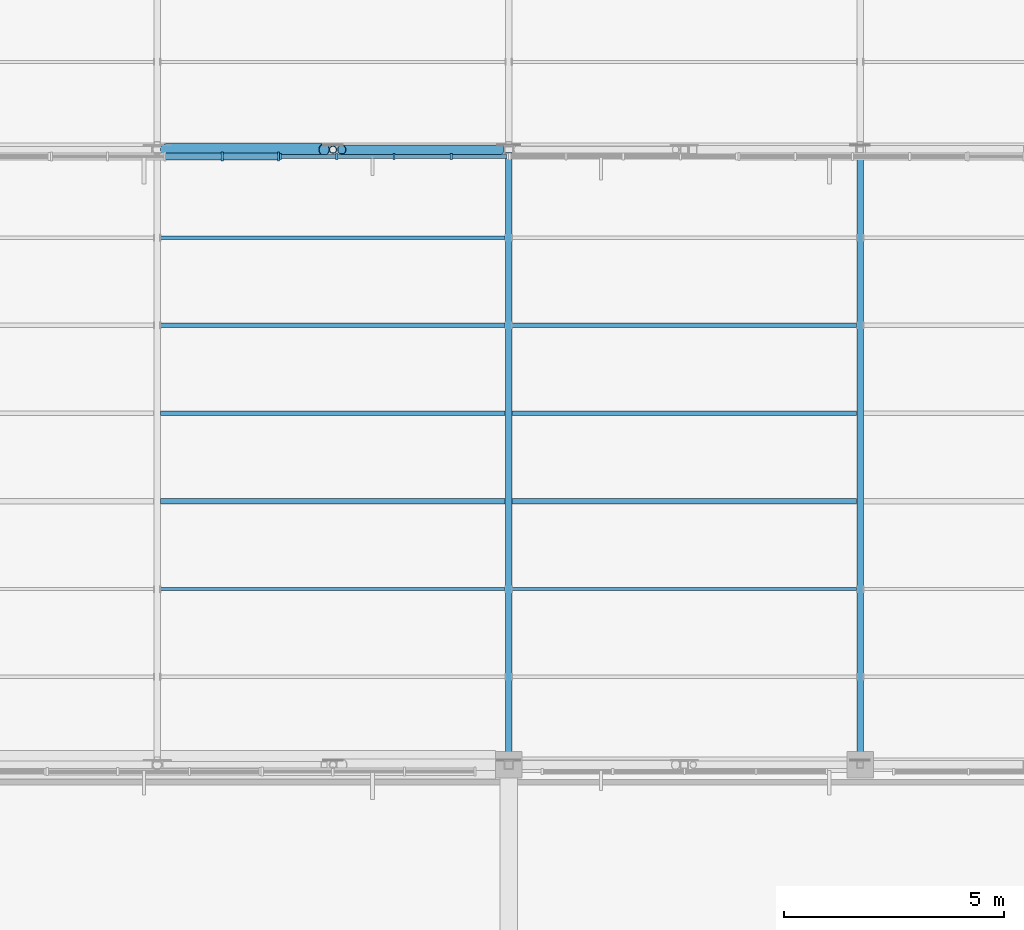
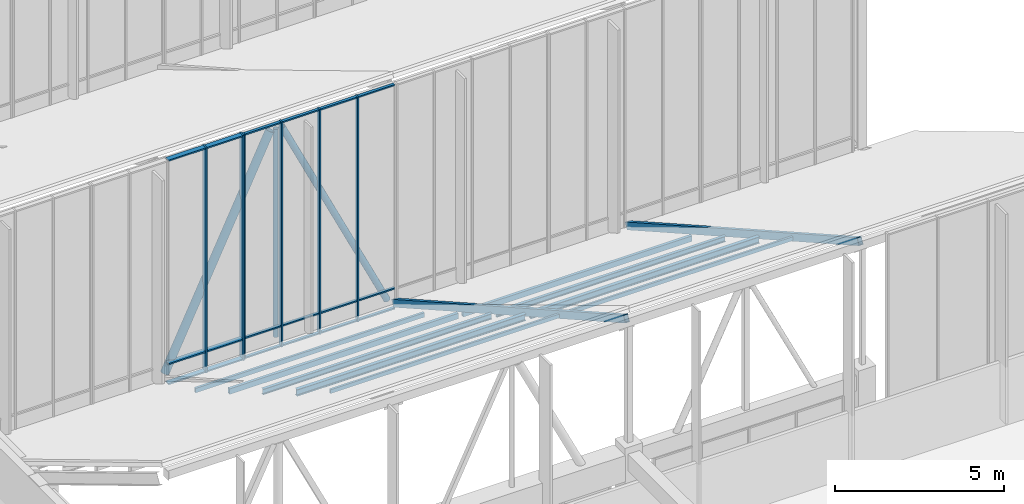
# One storey, part 41 of 155: 38 members, 2 elements without a shape of their own.
"""IFC4 building model written with IfcOpenShell, lengths in metres."""

from ifc_helpers import new_model, si_unit, direction, frame, origin, origin_2d, place, context, subcontext, project, spatial, rectangle, hollow_rectangle, hollow_circle, i_section, extrude, material, material_profile, profile_set, type_object, element, aggregate, save


model = new_model("IFC4")

# Units and contexts
model_context = context("Model", 3, precision=1e-05, world=origin(), true_north=direction((0.0, 1.0)))
body_context = subcontext(model_context, "Body", "Model", "MODEL_VIEW")
ifc_project = project(units=[si_unit("LENGTHUNIT", "METRE"), si_unit("AREAUNIT", "SQUARE_METRE"), si_unit("VOLUMEUNIT", "CUBIC_METRE"), si_unit("PLANEANGLEUNIT", "RADIAN"), si_unit("MASSUNIT", "GRAM", prefix="KILO")], contexts=[model_context])

# Site, building, storey
site_placement = place(None, origin())
site = spatial("IfcSite", under=ifc_project, at=site_placement, CompositionType="ELEMENT")
building_placement = place(site_placement, origin())
building = spatial("IfcBuilding", under=site, at=building_placement, Name="Larkveld Mobility Hub", CompositionType="ELEMENT")
storey_placement = place(building_placement, frame((0.0, 0.0, 8.39990234375)))
storey = spatial("IfcBuildingStorey", under=building, at=storey_placement, Name="L02", CompositionType="ELEMENT", Elevation=8.39990234375)

# Curtain wall, members
ifc_material_1 = material(Name="Anodised aluminium 6063-T6", Category="aluminium")
curtain_wall_type_1 = type_object("IfcCurtainWallType", Name="CW-SYS-03", PredefinedType="NOTDEFINED", material=ifc_material_1)
curtain_wall_1_placement = place(storey_placement, origin())
curtain_wall_1 = element("IfcCurtainWall", 1, at=curtain_wall_1_placement, inside=storey, type_object=curtain_wall_type_1, Name="Sawtooth South-Light Clerestory B2 CW-015", PredefinedType="NOTDEFINED")
ifc_material_profile_1 = material_profile(ifc_material_1, rectangle(XDim=0.050048828125, YDim=0.2099609375, at=origin_2d()), Name="ALU MULL 50x210")
ifc_profile_set_1 = profile_set([ifc_material_profile_1], Name="Anodised aluminium 6063-T6")
member_type_1 = type_object("IfcMemberType", Name="CW-MUL-03", PredefinedType="MULLION", material=ifc_profile_set_1)
member_1_placement = place(storey_placement, frame((161.47998046875, 41.844970703125, -0.001953125), z_axis=(0.0, 0.0, 1.0), x_axis=(1.0, 0.0, 0.0)))
member_1 = element("IfcMember", 2, at=member_1_placement, type_object=member_type_1, Name="CW03 mullion 4", PredefinedType="MULLION", context=body_context, shape_type="SweptSolid", body=[
    extrude(rectangle(XDim=0.050048828125, YDim=0.2099609375, at=origin_2d()), origin(), (0.0, 0.0, 1.0), 8.152099609375),
])
member_2_placement = place(storey_placement, frame((162.759033203125, 41.844970703125, -0.001953125), z_axis=(0.0, 0.0, 1.0), x_axis=(1.0, 0.0, 0.0)))
member_2 = element("IfcMember", 3, at=member_2_placement, type_object=member_type_1, Name="CW03 mullion 5", PredefinedType="MULLION", context=body_context, shape_type="SweptSolid", body=[
    extrude(rectangle(XDim=0.050048828125, YDim=0.2099609375, at=origin_2d()), origin(), (0.0, 0.0, 1.0), 8.152099609375),
])

curtain_wall_type_2 = type_object("IfcCurtainWallType", Name="CW-SYS-04", PredefinedType="NOTDEFINED", material=ifc_material_1)
curtain_wall_2_placement = place(storey_placement, origin())
curtain_wall_2 = element("IfcCurtainWall", 4, at=curtain_wall_2_placement, inside=storey, type_object=curtain_wall_type_2, Name="Sawtooth South-Light Clerestory B2 CW-016", PredefinedType="NOTDEFINED")
ifc_material_profile_2 = material_profile(ifc_material_1, rectangle(XDim=0.050048828125, YDim=0.1298828125, at=origin_2d()), Name="ALU MULL 50x130")
ifc_profile_set_2 = profile_set([ifc_material_profile_2], Name="Anodised aluminium 6063-T6")
member_type_2 = type_object("IfcMemberType", Name="CW-MUL-04", PredefinedType="MULLION", material=ifc_profile_set_2)
member_3_placement = place(storey_placement, frame((162.80810546875, 41.844970703125, -0.001953125), z_axis=(0.0, 0.0, 1.0), x_axis=(1.0, 0.0, 0.0)))
member_3 = element("IfcMember", 5, at=member_3_placement, type_object=member_type_2, Name="CW04 mullion 1", PredefinedType="MULLION", context=body_context, shape_type="SweptSolid", body=[
    extrude(rectangle(XDim=0.050048828125, YDim=0.1298828125, at=origin_2d()), origin(), (0.0, 0.0, 1.0), 8.152099609375),
])
member_4_placement = place(storey_placement, frame((164.0869140625, 41.844970703125, -0.001953125), z_axis=(0.0, 0.0, 1.0), x_axis=(1.0, 0.0, 0.0)))
member_4 = element("IfcMember", 6, at=member_4_placement, type_object=member_type_2, Name="CW04 mullion 2", PredefinedType="MULLION", context=body_context, shape_type="SweptSolid", body=[
    extrude(rectangle(XDim=0.050048828125, YDim=0.1298828125, at=origin_2d()), origin(), (0.0, 0.0, 1.0), 8.152099609375),
])
member_5_placement = place(storey_placement, frame((165.39111328125, 41.844970703125, -0.001953125), z_axis=(0.0, 0.0, 1.0), x_axis=(1.0, 0.0, 0.0)))
member_5 = element("IfcMember", 7, at=member_5_placement, type_object=member_type_2, Name="CW04 mullion 3", PredefinedType="MULLION", context=body_context, shape_type="SweptSolid", body=[
    extrude(rectangle(XDim=0.050048828125, YDim=0.1298828125, at=origin_2d()), origin(), (0.0, 0.0, 1.0), 8.152099609375),
])
member_6_placement = place(storey_placement, frame((166.695068359375, 41.844970703125, -0.001953125), z_axis=(0.0, 0.0, 1.0), x_axis=(1.0, 0.0, 0.0)))
member_6 = element("IfcMember", 8, at=member_6_placement, type_object=member_type_2, Name="CW04 mullion 4", PredefinedType="MULLION", context=body_context, shape_type="SweptSolid", body=[
    extrude(rectangle(XDim=0.050048828125, YDim=0.1298828125, at=origin_2d()), origin(), (0.0, 0.0, 1.0), 8.152099609375),
])

# Member
ifc_material_profile_3 = material_profile(ifc_material_1, rectangle(XDim=0.169921875, YDim=0.050048828125, at=origin_2d()), Name="ALU TRAN 50x170")
ifc_profile_set_3 = profile_set([ifc_material_profile_3], Name="Anodised aluminium 6063-T6")
member_type_3 = type_object("IfcMemberType", Name="CW-TRN-03", PredefinedType="USERDEFINED", material=ifc_profile_set_3)
member_7_placement = place(storey_placement, frame((160.18994140625, 41.844970703125, 0.030029296875), z_axis=(1.0, 0.0, 0.0), x_axis=(0.0, 1.0, 0.0)))
member_7 = element("IfcMember", 9, at=member_7_placement, type_object=member_type_3, Name="CW03 transom 3.1", ObjectType="TRANSOM", PredefinedType="USERDEFINED", context=body_context, shape_type="SweptSolid", body=[
    extrude(rectangle(XDim=0.169921875, YDim=0.050048828125, at=origin_2d()), origin(), (0.0, 0.0, 1.0), 1.275146484375),
])

member_8_placement = place(storey_placement, frame((160.18994140625, 41.844970703125, 0.75), z_axis=(1.0, 0.0, 0.0), x_axis=(0.0, 1.0, 0.0)))
member_8 = element("IfcMember", 10, at=member_8_placement, type_object=member_type_3, Name="CW03 transom 3.2", ObjectType="TRANSOM", PredefinedType="USERDEFINED", context=body_context, shape_type="SweptSolid", body=[
    extrude(rectangle(XDim=0.169921875, YDim=0.050048828125, at=origin_2d()), origin(), (0.0, 0.0, 1.0), 1.275146484375),
])

member_9_placement = place(storey_placement, frame((160.18994140625, 41.844970703125, 8.1181640625), z_axis=(1.0, 0.0, 0.0), x_axis=(0.0, 1.0, 0.0)))
member_9 = element("IfcMember", 11, at=member_9_placement, type_object=member_type_3, Name="CW03 transom 3.3", ObjectType="TRANSOM", PredefinedType="USERDEFINED", context=body_context, shape_type="SweptSolid", body=[
    extrude(rectangle(XDim=0.169921875, YDim=0.050048828125, at=origin_2d()), origin(), (0.0, 0.0, 1.0), 1.275146484375),
])

member_10_placement = place(storey_placement, frame((161.4951171875, 41.844970703125, 0.030029296875), z_axis=(1.0, 0.0, 0.0), x_axis=(0.0, 1.0, 0.0)))
member_10 = element("IfcMember", 12, at=member_10_placement, type_object=member_type_3, Name="CW03 transom 4.1", ObjectType="TRANSOM", PredefinedType="USERDEFINED", context=body_context, shape_type="SweptSolid", body=[
    extrude(rectangle(XDim=0.169921875, YDim=0.050048828125, at=origin_2d()), origin(), (0.0, 0.0, 1.0), 1.25390625),
])

member_11_placement = place(storey_placement, frame((161.4951171875, 41.844970703125, 0.75), z_axis=(1.0, 0.0, 0.0), x_axis=(0.0, 1.0, 0.0)))
member_11 = element("IfcMember", 13, at=member_11_placement, type_object=member_type_3, Name="CW03 transom 4.2", ObjectType="TRANSOM", PredefinedType="USERDEFINED", context=body_context, shape_type="SweptSolid", body=[
    extrude(rectangle(XDim=0.169921875, YDim=0.050048828125, at=origin_2d()), origin(), (0.0, 0.0, 1.0), 1.25390625),
])

member_12_placement = place(storey_placement, frame((161.4951171875, 41.844970703125, 8.1181640625), z_axis=(1.0, 0.0, 0.0), x_axis=(0.0, 1.0, 0.0)))
member_12 = element("IfcMember", 14, at=member_12_placement, type_object=member_type_3, Name="CW03 transom 4.3", ObjectType="TRANSOM", PredefinedType="USERDEFINED", context=body_context, shape_type="SweptSolid", body=[
    extrude(rectangle(XDim=0.169921875, YDim=0.050048828125, at=origin_2d()), origin(), (0.0, 0.0, 1.0), 1.25390625),
])

aggregate(curtain_wall_1, [member_1, member_2, member_7, member_8, member_9, member_10, member_11, member_12])

ifc_material_profile_4 = material_profile(ifc_material_1, rectangle(XDim=0.10009765625, YDim=0.050048828125, at=origin_2d()), Name="ALU TRAN 50x100")
ifc_profile_set_4 = profile_set([ifc_material_profile_4], Name="Anodised aluminium 6063-T6")
member_type_4 = type_object("IfcMemberType", Name="CW-TRN-04", PredefinedType="USERDEFINED", material=ifc_profile_set_4)
member_13_placement = place(storey_placement, frame((162.818115234375, 41.844970703125, 0.030029296875), z_axis=(1.0, 0.0, 0.0), x_axis=(0.0, 1.0, 0.0)))
member_13 = element("IfcMember", 15, at=member_13_placement, type_object=member_type_4, Name="CW04 transom 1.1", ObjectType="TRANSOM", PredefinedType="USERDEFINED", context=body_context, shape_type="SweptSolid", body=[
    extrude(rectangle(XDim=0.10009765625, YDim=0.050048828125, at=origin_2d()), origin(), (0.0, 0.0, 1.0), 1.25390625),
])

member_14_placement = place(storey_placement, frame((162.818115234375, 41.844970703125, 0.75), z_axis=(1.0, 0.0, 0.0), x_axis=(0.0, 1.0, 0.0)))
member_14 = element("IfcMember", 16, at=member_14_placement, type_object=member_type_4, Name="CW04 transom 1.2", ObjectType="TRANSOM", PredefinedType="USERDEFINED", context=body_context, shape_type="SweptSolid", body=[
    extrude(rectangle(XDim=0.10009765625, YDim=0.050048828125, at=origin_2d()), origin(), (0.0, 0.0, 1.0), 1.25390625),
])

member_15_placement = place(storey_placement, frame((162.818115234375, 41.844970703125, 8.1181640625), z_axis=(1.0, 0.0, 0.0), x_axis=(0.0, 1.0, 0.0)))
member_15 = element("IfcMember", 17, at=member_15_placement, type_object=member_type_4, Name="CW04 transom 1.3", ObjectType="TRANSOM", PredefinedType="USERDEFINED", context=body_context, shape_type="SweptSolid", body=[
    extrude(rectangle(XDim=0.10009765625, YDim=0.050048828125, at=origin_2d()), origin(), (0.0, 0.0, 1.0), 1.25390625),
])

member_16_placement = place(storey_placement, frame((164.10205078125, 41.844970703125, 0.030029296875), z_axis=(1.0, 0.0, 0.0), x_axis=(0.0, 1.0, 0.0)))
member_16 = element("IfcMember", 18, at=member_16_placement, type_object=member_type_4, Name="CW04 transom 2.1", ObjectType="TRANSOM", PredefinedType="USERDEFINED", context=body_context, shape_type="SweptSolid", body=[
    extrude(rectangle(XDim=0.10009765625, YDim=0.050048828125, at=origin_2d()), origin(), (0.0, 0.0, 1.0), 1.27392578125),
])

member_17_placement = place(storey_placement, frame((164.10205078125, 41.844970703125, 0.75), z_axis=(1.0, 0.0, 0.0), x_axis=(0.0, 1.0, 0.0)))
member_17 = element("IfcMember", 19, at=member_17_placement, type_object=member_type_4, Name="CW04 transom 2.2", ObjectType="TRANSOM", PredefinedType="USERDEFINED", context=body_context, shape_type="SweptSolid", body=[
    extrude(rectangle(XDim=0.10009765625, YDim=0.050048828125, at=origin_2d()), origin(), (0.0, 0.0, 1.0), 1.27392578125),
])

member_18_placement = place(storey_placement, frame((164.10205078125, 41.844970703125, 8.1181640625), z_axis=(1.0, 0.0, 0.0), x_axis=(0.0, 1.0, 0.0)))
member_18 = element("IfcMember", 20, at=member_18_placement, type_object=member_type_4, Name="CW04 transom 2.3", ObjectType="TRANSOM", PredefinedType="USERDEFINED", context=body_context, shape_type="SweptSolid", body=[
    extrude(rectangle(XDim=0.10009765625, YDim=0.050048828125, at=origin_2d()), origin(), (0.0, 0.0, 1.0), 1.27392578125),
])

member_19_placement = place(storey_placement, frame((165.406005859375, 41.844970703125, 0.030029296875), z_axis=(1.0, 0.0, 0.0), x_axis=(0.0, 1.0, 0.0)))
member_19 = element("IfcMember", 21, at=member_19_placement, type_object=member_type_4, Name="CW04 transom 3.1", ObjectType="TRANSOM", PredefinedType="USERDEFINED", context=body_context, shape_type="SweptSolid", body=[
    extrude(rectangle(XDim=0.10009765625, YDim=0.050048828125, at=origin_2d()), origin(), (0.0, 0.0, 1.0), 1.27392578125),
])

member_20_placement = place(storey_placement, frame((165.406005859375, 41.844970703125, 0.75), z_axis=(1.0, 0.0, 0.0), x_axis=(0.0, 1.0, 0.0)))
member_20 = element("IfcMember", 22, at=member_20_placement, type_object=member_type_4, Name="CW04 transom 3.2", ObjectType="TRANSOM", PredefinedType="USERDEFINED", context=body_context, shape_type="SweptSolid", body=[
    extrude(rectangle(XDim=0.10009765625, YDim=0.050048828125, at=origin_2d()), origin(), (0.0, 0.0, 1.0), 1.27392578125),
])

member_21_placement = place(storey_placement, frame((165.406005859375, 41.844970703125, 8.1181640625), z_axis=(1.0, 0.0, 0.0), x_axis=(0.0, 1.0, 0.0)))
member_21 = element("IfcMember", 23, at=member_21_placement, type_object=member_type_4, Name="CW04 transom 3.3", ObjectType="TRANSOM", PredefinedType="USERDEFINED", context=body_context, shape_type="SweptSolid", body=[
    extrude(rectangle(XDim=0.10009765625, YDim=0.050048828125, at=origin_2d()), origin(), (0.0, 0.0, 1.0), 1.27392578125),
])

member_22_placement = place(storey_placement, frame((166.7099609375, 41.844970703125, 0.030029296875), z_axis=(1.0, 0.0, 0.0), x_axis=(0.0, 1.0, 0.0)))
member_22 = element("IfcMember", 24, at=member_22_placement, type_object=member_type_4, Name="CW04 transom 4.1", ObjectType="TRANSOM", PredefinedType="USERDEFINED", context=body_context, shape_type="SweptSolid", body=[
    extrude(rectangle(XDim=0.10009765625, YDim=0.050048828125, at=origin_2d()), origin(), (0.0, 0.0, 1.0), 1.255126953125),
])

member_23_placement = place(storey_placement, frame((166.7099609375, 41.844970703125, 0.75), z_axis=(1.0, 0.0, 0.0), x_axis=(0.0, 1.0, 0.0)))
member_23 = element("IfcMember", 25, at=member_23_placement, type_object=member_type_4, Name="CW04 transom 4.2", ObjectType="TRANSOM", PredefinedType="USERDEFINED", context=body_context, shape_type="SweptSolid", body=[
    extrude(rectangle(XDim=0.10009765625, YDim=0.050048828125, at=origin_2d()), origin(), (0.0, 0.0, 1.0), 1.255126953125),
])

member_24_placement = place(storey_placement, frame((166.7099609375, 41.844970703125, 8.1181640625), z_axis=(1.0, 0.0, 0.0), x_axis=(0.0, 1.0, 0.0)))
member_24 = element("IfcMember", 26, at=member_24_placement, type_object=member_type_4, Name="CW04 transom 4.3", ObjectType="TRANSOM", PredefinedType="USERDEFINED", context=body_context, shape_type="SweptSolid", body=[
    extrude(rectangle(XDim=0.10009765625, YDim=0.050048828125, at=origin_2d()), origin(), (0.0, 0.0, 1.0), 1.255126953125),
])

aggregate(curtain_wall_2, [member_3, member_4, member_5, member_6, member_13, member_14, member_15, member_16, member_17, member_18, member_19, member_20, member_21, member_22, member_23, member_24])

# Members
ifc_material_2 = material(Name="Steel S355JR", Category="steel")
ifc_material_profile_5 = material_profile(ifc_material_2, hollow_circle(Radius=0.084228515625, WallThickness=0.008056640625, at=origin_2d()), Name="CHS 168.3x8")
ifc_profile_set_5 = profile_set([ifc_material_profile_5], Name="Steel S355JR")
member_type_5 = type_object("IfcMemberType", Name="MB-BR-CHS168", PredefinedType="BRACE", material=ifc_profile_set_5)
member_25_placement = place(storey_placement, frame((164.0, 42.0, 0.300048828125), z_axis=(0.0, 0.0, 1.0), x_axis=(1.0, 0.0, 0.0)))
element("IfcMember", 27, at=member_25_placement, inside=storey, type_object=member_type_5, Name="ROOF TRUSS T2 Vertical Post 3", PredefinedType="BRACE", context=body_context, shape_type="SweptSolid", body=[
    extrude(hollow_circle(Radius=0.084228515625, WallThickness=0.008056640625, at=origin_2d()), origin(), (0.0, 0.0, 1.0), 7.525146484375),
])
ifc_material_profile_6 = material_profile(ifc_material_2, hollow_circle(Radius=0.109619140625, WallThickness=0.010009765625, at=origin_2d()), Name="CHS 219.1x10")
ifc_profile_set_6 = profile_set([ifc_material_profile_6], Name="Steel S355JR")
member_type_6 = type_object("IfcMemberType", Name="MB-BR-CHS219", PredefinedType="BRACE", material=ifc_profile_set_6)
member_26_placement = place(storey_placement, frame((164.199951171875, 42.0, 7.8251953125), z_axis=(0.43156423058, 0.0, -0.902082210712), x_axis=(0.0, 1.0, 0.0)))
element("IfcMember", 28, at=member_26_placement, inside=storey, type_object=member_type_6, Name="ROOF TRUSS T2 Web Diagonal 4", PredefinedType="BRACE", context=body_context, shape_type="SweptSolid", body=[
    extrude(hollow_circle(Radius=0.109619140625, WallThickness=0.010009765625, at=origin_2d()), origin(), (0.0, 0.0, 1.0), 8.342041015625),
])
ifc_material_profile_7 = material_profile(ifc_material_2, hollow_circle(Radius=0.136474609375, WallThickness=0.012451171875, at=origin_2d()), Name="CHS 273x12.5")
ifc_profile_set_7 = profile_set([ifc_material_profile_7], Name="Steel S355JR")
member_type_7 = type_object("IfcMemberType", Name="MB-BR-CHS273", PredefinedType="BRACE", material=ifc_profile_set_7)
member_27_placement = place(storey_placement, frame((160.199951171875, 42.0, 0.300048828125), z_axis=(0.43156423058, 0.0, 0.902082210712), x_axis=(0.0, 1.0, 0.0)))
element("IfcMember", 29, at=member_27_placement, inside=storey, type_object=member_type_7, Name="ROOF TRUSS T2 Web Diagonal 3", PredefinedType="BRACE", context=body_context, shape_type="SweptSolid", body=[
    extrude(hollow_circle(Radius=0.136474609375, WallThickness=0.012451171875, at=origin_2d()), origin(), (0.0, 0.0, 1.0), 8.342041015625),
])
ifc_material_profile_8 = material_profile(ifc_material_2, hollow_rectangle(XDim=0.14990234375, YDim=0.25, WallThickness=0.010009765625, at=origin_2d()), Name="RHS 250x150x10")
ifc_profile_set_8 = profile_set([ifc_material_profile_8], Name="Steel S355JR")
member_type_8 = type_object("IfcMemberType", Name="MB-CH-RHS250", PredefinedType="CHORD", material=ifc_profile_set_8)
for number, where, z_axis, x_axis, name in (
    (30, (168.0, 28.1201171875, 7.9501953125), (0.0, 0.870759014799, -0.491710014283), (-1.0, 0.0, 0.0), "ROOF TRUSS Sloped Rafter Chord B1-168"),
    (31, (176.0, 28.1201171875, 7.9501953125), (0.0, 0.870759014799, -0.491710014283), (-1.0, 0.0, 0.0), "ROOF TRUSS Sloped Rafter Chord B1-176"),
):
    element("IfcMember", number, at=place(storey_placement, frame(where, z_axis=z_axis, x_axis=x_axis)), inside=storey, type_object=member_type_8, Name=name, PredefinedType="CHORD", context=body_context, shape_type="SweptSolid", body=[
        extrude(hollow_rectangle(XDim=0.14990234375, YDim=0.25, WallThickness=0.010009765625, at=origin_2d()), origin(), (0.0, 0.0, 1.0), 15.802001953125),
    ])
ifc_material_profile_9 = material_profile(ifc_material_2, i_section(OverallWidth=0.10009765625, OverallDepth=0.199951171875, WebThickness=0.005615234375, FlangeThickness=0.008544921875, FilletRadius=0.011962890625, at=origin_2d()), Name="IPE 200")
ifc_profile_set_9 = profile_set([ifc_material_profile_9], Name="Steel S355JR")
member_type_9 = type_object("IfcMemberType", Name="MB-PR-IPE200", PredefinedType="PURLIN", material=ifc_profile_set_9)
for number, where, z_axis, x_axis, name in (
    (32, (160.080078125, 36.0, 3.30712890625), (1.0, 0.0, 0.0), (0.0, 1.0, 0.0), "Sawtooth Roof Purlin B1-4.2"),
    (33, (168.080078125, 36.0, 3.30712890625), (1.0, 0.0, 0.0), (0.0, 1.0, 0.0), "Sawtooth Roof Purlin B1-4.3"),
):
    element("IfcMember", number, at=place(storey_placement, frame(where, z_axis=z_axis, x_axis=x_axis)), inside=storey, type_object=member_type_9, Name=name, PredefinedType="PURLIN", context=body_context, shape_type="SweptSolid", body=[
        extrude(i_section(OverallWidth=0.10009765625, OverallDepth=0.199951171875, WebThickness=0.005615234375, FlangeThickness=0.008544921875, FilletRadius=0.011962890625, at=origin_2d()), origin(), (0.0, 0.0, 1.0), 7.83984375),
    ])
ifc_material_profile_10 = material_profile(ifc_material_2, i_section(OverallWidth=0.1201171875, OverallDepth=0.239990234375, WebThickness=0.006103515625, FlangeThickness=0.009765625, FilletRadius=0.014892578125, at=origin_2d()), Name="IPE 240")
ifc_profile_set_10 = profile_set([ifc_material_profile_10], Name="Steel S355JR")
member_type_10 = type_object("IfcMemberType", Name="MB-PR-IPE240", PredefinedType="PURLIN", material=ifc_profile_set_10)
for number, where, z_axis, x_axis, name in (
    (34, (160.080078125, 34.0, 4.487060546875), (1.0, 0.0, 0.0), (0.0, 1.0, 0.0), "Sawtooth Roof Purlin B1-3.2"),
    (35, (168.080078125, 34.0, 4.487060546875), (1.0, 0.0, 0.0), (0.0, 1.0, 0.0), "Sawtooth Roof Purlin B1-3.3"),
):
    element("IfcMember", number, at=place(storey_placement, frame(where, z_axis=z_axis, x_axis=x_axis)), inside=storey, type_object=member_type_10, Name=name, PredefinedType="PURLIN", context=body_context, shape_type="SweptSolid", body=[
        extrude(i_section(OverallWidth=0.1201171875, OverallDepth=0.239990234375, WebThickness=0.006103515625, FlangeThickness=0.009765625, FilletRadius=0.014892578125, at=origin_2d()), origin(), (0.0, 0.0, 1.0), 7.83984375),
    ])
ifc_material_profile_11 = material_profile(ifc_material_2, hollow_rectangle(XDim=0.070068359375, YDim=0.139892578125, WallThickness=0.00634765625, at=origin_2d()), Name="RHS 140x70x6.3")
ifc_profile_set_11 = profile_set([ifc_material_profile_11], Name="Steel S355JR")
member_type_11 = type_object("IfcMemberType", Name="MB-PR-RHS140", PredefinedType="PURLIN", material=ifc_profile_set_11)
for number, where, z_axis, x_axis, name in (
    (36, (160.080078125, 32.0, 5.737060546875), (1.0, 0.0, 0.0), (0.0, 1.0, 0.0), "Sawtooth Roof Purlin B1-2.2"),
    (37, (168.080078125, 32.0, 5.737060546875), (1.0, 0.0, 0.0), (0.0, 1.0, 0.0), "Sawtooth Roof Purlin B1-2.3"),
):
    element("IfcMember", number, at=place(storey_placement, frame(where, z_axis=z_axis, x_axis=x_axis)), inside=storey, type_object=member_type_11, Name=name, PredefinedType="PURLIN", context=body_context, shape_type="SweptSolid", body=[
        extrude(hollow_rectangle(XDim=0.070068359375, YDim=0.139892578125, WallThickness=0.00634765625, at=origin_2d()), origin(), (0.0, 0.0, 1.0), 7.83984375),
    ])
ifc_material_profile_12 = material_profile(ifc_material_2, hollow_rectangle(XDim=0.080078125, YDim=0.159912109375, WallThickness=0.008056640625, at=origin_2d()), Name="RHS 160x80x8")
ifc_profile_set_12 = profile_set([ifc_material_profile_12], Name="Steel S355JR")
member_type_12 = type_object("IfcMemberType", Name="MB-PR-RHS160", PredefinedType="PURLIN", material=ifc_profile_set_12)
member_28_placement = place(storey_placement, frame((160.080078125, 40.0, 0.927001953125), z_axis=(1.0, 0.0, 0.0), x_axis=(0.0, 1.0, 0.0)))
element("IfcMember", 38, at=member_28_placement, inside=storey, type_object=member_type_12, Name="Sawtooth Roof Purlin B1-6.2", PredefinedType="PURLIN", context=body_context, shape_type="SweptSolid", body=[
    extrude(hollow_rectangle(XDim=0.080078125, YDim=0.159912109375, WallThickness=0.008056640625, at=origin_2d()), origin(), (0.0, 0.0, 1.0), 7.83984375),
])
ifc_material_profile_13 = material_profile(ifc_material_2, hollow_rectangle(XDim=0.10009765625, YDim=0.199951171875, WallThickness=0.008056640625, at=origin_2d()), Name="RHS 200x100x8")
ifc_profile_set_13 = profile_set([ifc_material_profile_13], Name="Steel S355JR")
member_type_13 = type_object("IfcMemberType", Name="MB-PR-RHS200", PredefinedType="PURLIN", material=ifc_profile_set_13)
for number, where, z_axis, x_axis, name in (
    (39, (160.080078125, 38.0, 2.107177734375), (1.0, 0.0, 0.0), (0.0, 1.0, 0.0), "Sawtooth Roof Purlin B1-5.2"),
    (40, (168.080078125, 38.0, 2.107177734375), (1.0, 0.0, 0.0), (0.0, 1.0, 0.0), "Sawtooth Roof Purlin B1-5.3"),
):
    element("IfcMember", number, at=place(storey_placement, frame(where, z_axis=z_axis, x_axis=x_axis)), inside=storey, type_object=member_type_13, Name=name, PredefinedType="PURLIN", context=body_context, shape_type="SweptSolid", body=[
        extrude(hollow_rectangle(XDim=0.10009765625, YDim=0.199951171875, WallThickness=0.008056640625, at=origin_2d()), origin(), (0.0, 0.0, 1.0), 7.83984375),
    ])

save(model, "model.ifc")
